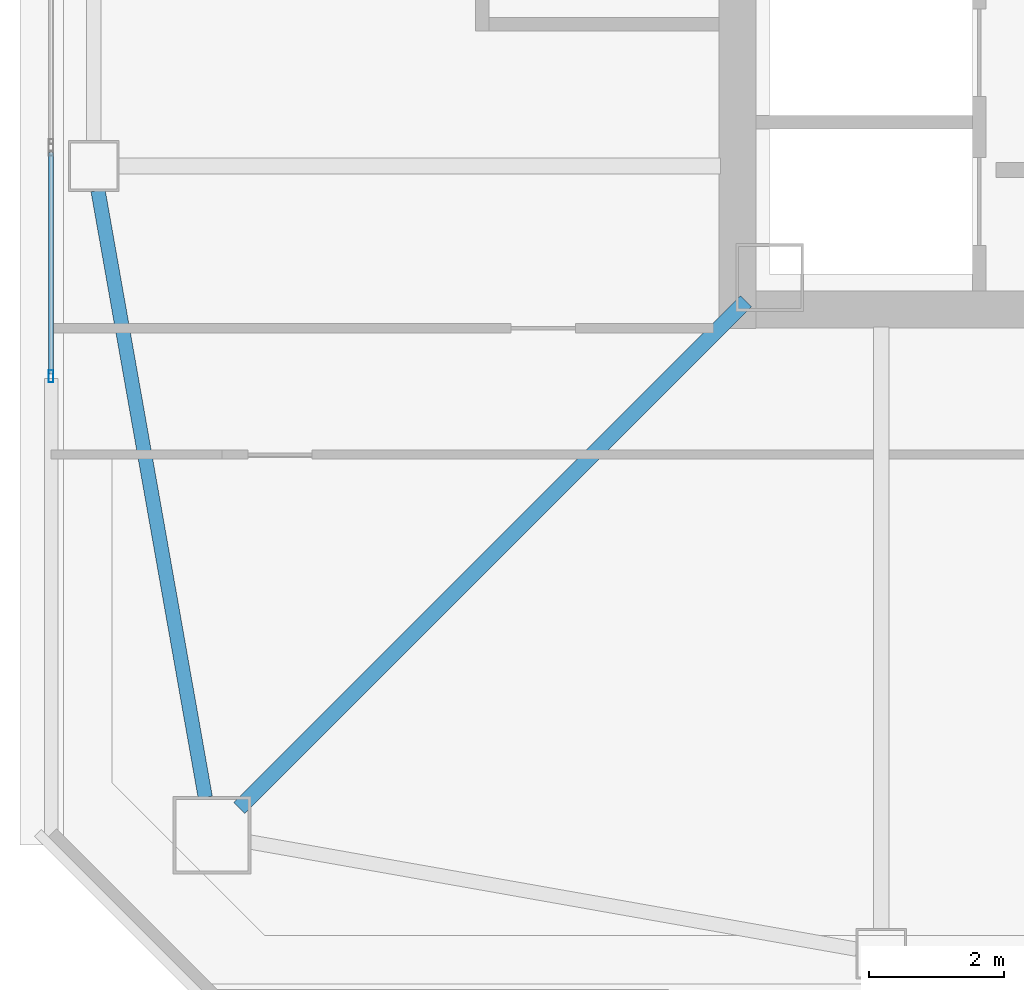
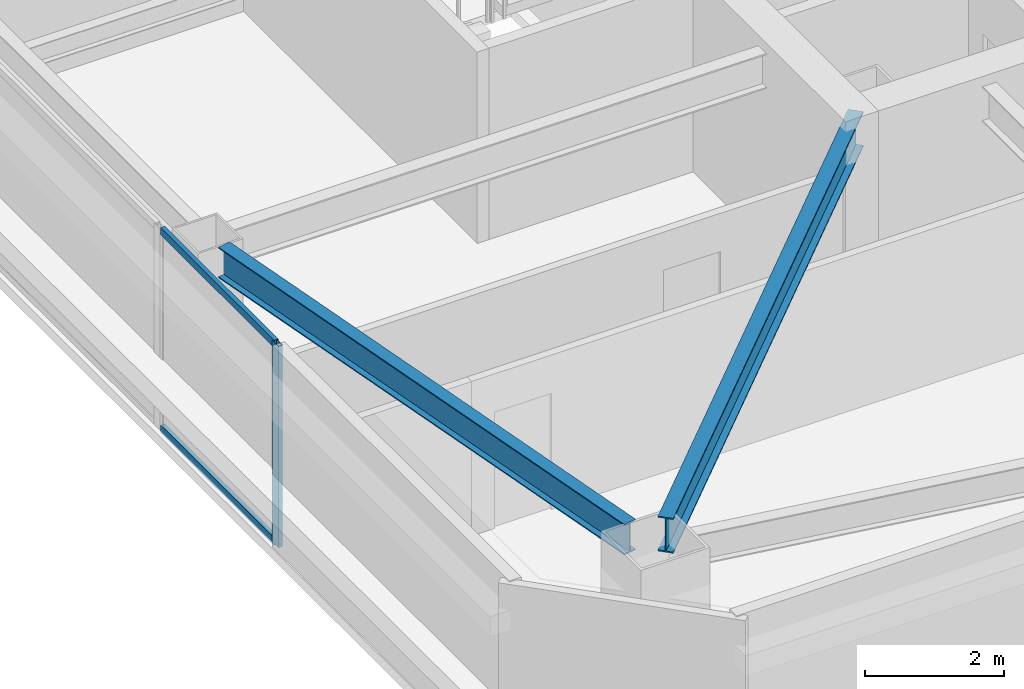
# One storey, part 4 of 42: 3 members, 2 beams, 1 element without a shape of its own.
"""IFC4 building model written with IfcOpenShell, lengths in metres."""

from ifc_helpers import new_model, si_unit, direction, frame, origin, origin_2d, place, context, subcontext, project, spatial, hollow_rectangle, i_section, extrude, material, material_profile, profile_set, type_object, element, aggregate, save


model = new_model("IFC4")

# Units and contexts
model_context = context("Model", 3, precision=1e-05, world=origin(), true_north=direction((0.0, 1.0)))
body_context = subcontext(model_context, "Body", "Model", "MODEL_VIEW")
ifc_project = project(units=[si_unit("LENGTHUNIT", "METRE"), si_unit("AREAUNIT", "SQUARE_METRE"), si_unit("VOLUMEUNIT", "CUBIC_METRE"), si_unit("PLANEANGLEUNIT", "RADIAN"), si_unit("MASSUNIT", "GRAM", prefix="KILO")], contexts=[model_context])

# Site, building, storey
site_placement = place(None, origin())
site = spatial("IfcSite", under=ifc_project, at=site_placement, CompositionType="ELEMENT")
building_placement = place(site_placement, origin())
building = spatial("IfcBuilding", under=site, at=building_placement, Name="Tashvorn Skyway Center", CompositionType="ELEMENT")
storey_placement = place(building_placement, frame((0.0, 0.0, 164.10009765625)))
storey = spatial("IfcBuildingStorey", under=building, at=storey_placement, Name="L44", CompositionType="ELEMENT", Elevation=164.10009765625)

# Beams
ifc_material_1 = material(Name="Steel ASTM A992 Grade 50", Category="steel")
ifc_material_profile_1 = material_profile(ifc_material_1, i_section(OverallWidth=0.22998046875, OverallDepth=0.616943359375, WebThickness=0.01318359375, FlangeThickness=0.022216796875, at=origin_2d()), Name="W24X94")
ifc_profile_set_1 = profile_set([ifc_material_profile_1], Name="Steel ASTM A992 Grade 50")
beam_type_1 = type_object("IfcBeamType", Name="BM-BEAM-W24X94", PredefinedType="BEAM", material=ifc_profile_set_1)
beam_1_placement = place(storey_placement, frame((27.10302734375, 17.10302734375, 3.0615234375), z_axis=(0.707106781187, 0.707106781187, 0.0), x_axis=(-0.707106781187, 0.707106781187, 0.0)))
element("IfcBeam", 1, at=beam_1_placement, inside=storey, type_object=beam_type_1, Name="Tower 1 L44 Primary Floor Girder MC-SW", PredefinedType="BEAM", context=body_context, shape_type="SweptSolid", body=[
    extrude(i_section(OverallWidth=0.22998046875, OverallDepth=0.616943359375, WebThickness=0.01318359375, FlangeThickness=0.022216796875, at=origin_2d()), origin(), (0.0, 0.0, 1.0), 10.6025390625),
])
ifc_material_profile_2 = material_profile(ifc_material_1, i_section(OverallWidth=0.2109375, OverallDepth=0.5390625, WebThickness=0.01171875, FlangeThickness=0.018798828125, at=origin_2d()), Name="W21X73")
ifc_profile_set_2 = profile_set([ifc_material_profile_2], Name="Steel ASTM A992 Grade 50")
beam_type_2 = type_object("IfcBeamType", Name="BM-SPANDREL-W21X73", PredefinedType="SPANDREL", material=ifc_profile_set_2)
beam_2_placement = place(storey_placement, frame((25.014404296875, 26.235595703125, 3.100341796875), z_axis=(0.174074160933, -0.984732545667, 0.0), x_axis=(0.984732545667, 0.174074160933, 0.0)))
element("IfcBeam", 2, at=beam_2_placement, inside=storey, type_object=beam_type_2, Name="Tower 1 L44 Spandrel Beam 12", PredefinedType="SPANDREL", context=body_context, shape_type="SweptSolid", body=[
    extrude(i_section(OverallWidth=0.2109375, OverallDepth=0.5390625, WebThickness=0.01171875, FlangeThickness=0.018798828125, at=origin_2d()), origin(), (0.0, 0.0, 1.0), 9.113525390625),
])

# Curtain wall, members
ifc_material_2 = material(Name="Thermally broken bronze-anodized aluminium 6063-T6", Category="aluminium")
curtain_wall_type = type_object("IfcCurtainWallType", Name="CW-CW-Z4", PredefinedType="NOTDEFINED", material=ifc_material_2)
curtain_wall_placement = place(storey_placement, origin())
curtain_wall = element("IfcCurtainWall", 3, at=curtain_wall_placement, inside=storey, type_object=curtain_wall_type, Name="Tower 1 L44 West Unitised Curtain Wall Glazing Group 1", PredefinedType="NOTDEFINED")
ifc_material_profile_3 = material_profile(ifc_material_2, hollow_rectangle(XDim=0.070068359375, YDim=0.179931640625, WallThickness=0.00390625, at=origin_2d()), Name="ALU-MULL-70x180")
ifc_profile_set_3 = profile_set([ifc_material_profile_3], Name="Thermally broken bronze-anodized aluminium 6063-T6")
member_type_1 = type_object("IfcMemberType", Name="CWM-CW-Z4", PredefinedType="MULLION", material=ifc_profile_set_3)
member_1_placement = place(storey_placement, frame((24.320068359375, 23.490478515625, 0.0), z_axis=(0.0, 0.0, 1.0), x_axis=(-1.0, 0.0, 0.0)))
member_1 = element("IfcMember", 4, at=member_1_placement, type_object=member_type_1, Name="CW-Z4 mullion 1", PredefinedType="MULLION", context=body_context, shape_type="SweptSolid", body=[
    extrude(hollow_rectangle(XDim=0.070068359375, YDim=0.179931640625, WallThickness=0.00390625, at=origin_2d()), origin(), (0.0, 0.0, 1.0), 3.5498046875),
])
ifc_material_profile_4 = material_profile(ifc_material_2, hollow_rectangle(XDim=0.070068359375, YDim=0.1298828125, WallThickness=0.00390625, at=origin_2d()), Name="ALU-TRAN-70x130")
ifc_profile_set_4 = profile_set([ifc_material_profile_4], Name="Thermally broken bronze-anodized aluminium 6063-T6")
member_type_2 = type_object("IfcMemberType", Name="CWT-CW-Z4", PredefinedType="USERDEFINED", material=ifc_profile_set_4)
member_2_placement = place(storey_placement, frame((24.320068359375, 23.525634765625, 0.034912109375), z_axis=(0.0, 1.0, 0.0), x_axis=(-1.0, 0.0, 0.0)))
member_2 = element("IfcMember", 5, at=member_2_placement, type_object=member_type_2, Name="CW-Z4 transom 1.1", ObjectType="TRANSOM", PredefinedType="USERDEFINED", context=body_context, shape_type="SweptSolid", body=[
    extrude(hollow_rectangle(XDim=0.070068359375, YDim=0.1298828125, WallThickness=0.00390625, at=origin_2d()), origin(), (0.0, 0.0, 1.0), 3.277587890625),
])
member_3_placement = place(storey_placement, frame((24.320068359375, 23.525634765625, 3.514892578125), z_axis=(0.0, 1.0, 0.0), x_axis=(-1.0, 0.0, 0.0)))
member_3 = element("IfcMember", 6, at=member_3_placement, type_object=member_type_2, Name="CW-Z4 transom 1.2", ObjectType="TRANSOM", PredefinedType="USERDEFINED", context=body_context, shape_type="SweptSolid", body=[
    extrude(hollow_rectangle(XDim=0.070068359375, YDim=0.1298828125, WallThickness=0.00390625, at=origin_2d()), origin(), (0.0, 0.0, 1.0), 3.277587890625),
])
aggregate(curtain_wall, [member_1, member_2, member_3])

save(model, "model.ifc")
